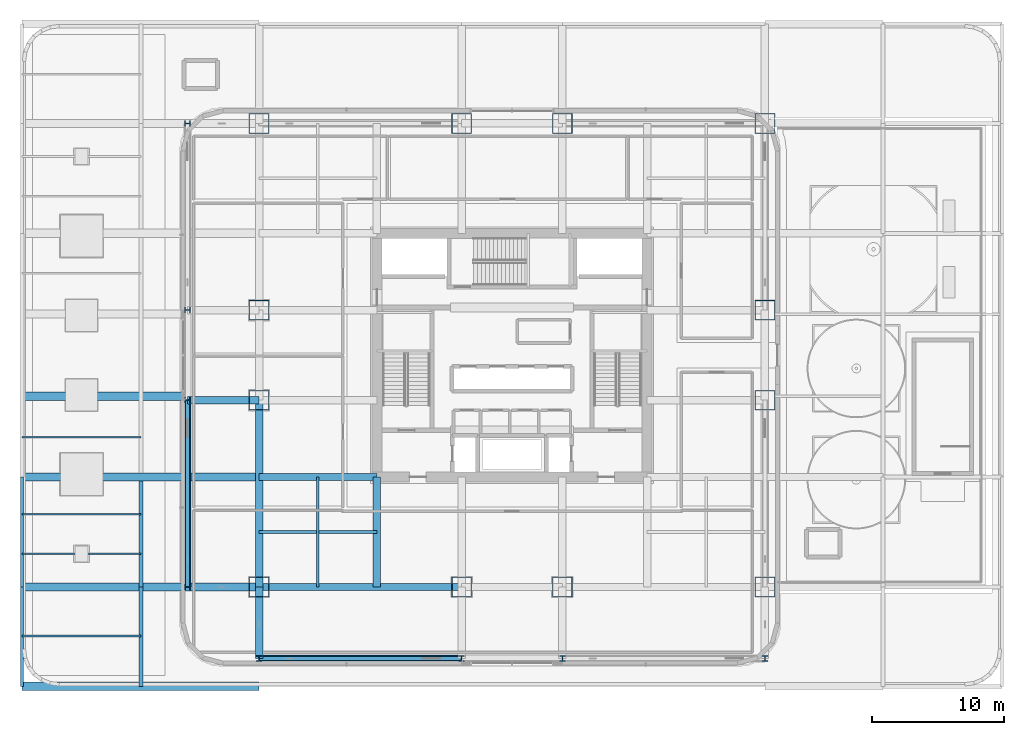
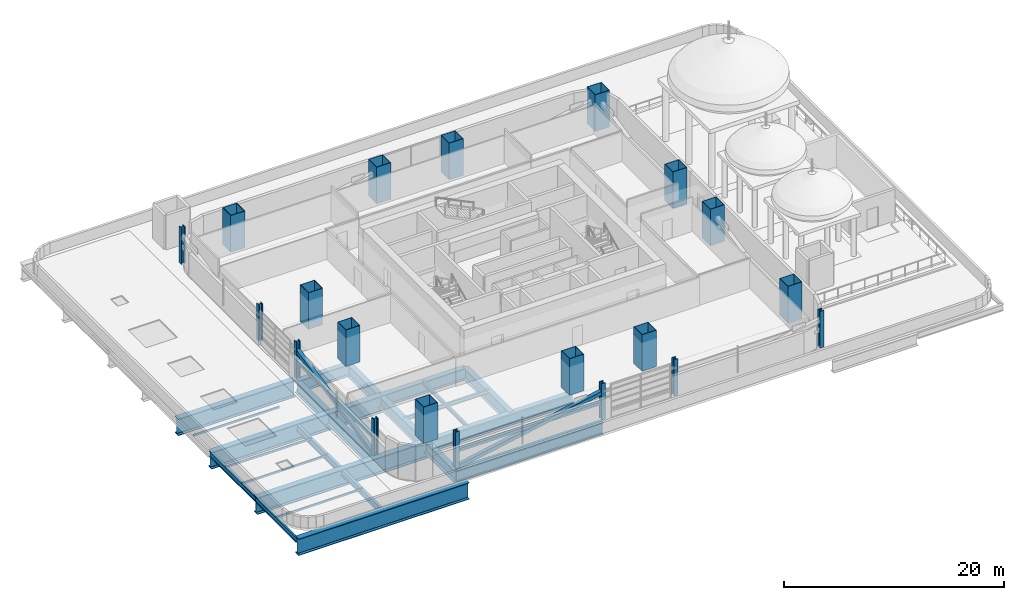
# One storey, part 1 of 30: 20 columns, 18 beams, 8 members.
"""IFC4 building model written with IfcOpenShell, lengths in metres."""

import ifcopenshell
import ifcopenshell.guid

model = None  # the IFC model being written
_history = None  # IfcOwnerHistory: only IFC2X3 demands one
_inside = {}  # id of a spatial element -> (the spatial element, [elements in it])
_under = {}  # id of a project, library or spatial element -> (it, [spatial elements below it])
_declared = {}  # id of a project -> (the project, [libraries it declares])
_typed = {}  # id of a type object -> (the type object, [elements of that type])
_made_of = {}  # id of a material, layer set ... -> (it, [elements and type objects made of it])


def new_model(schema):
    """Start an empty IFC model of exactly this schema.

    Asked for "IFC4X3", IfcOpenShell would pick the latest addendum, in which some entities
    have other attributes; the version numbers below select the first issue.
    IFC2X3 requires an IfcOwnerHistory on every rooted entity: one is made here for all.
    """
    global model, _history
    if schema == "IFC4X3":
        model = ifcopenshell.file(schema_version=(4, 3, 0, 0))
    else:
        model = ifcopenshell.file(schema=schema)
    _inside.clear()
    _under.clear()
    _declared.clear()
    _typed.clear()
    _made_of.clear()
    _history = None
    if model.schema == "IFC2X3":
        org = make("IfcOrganization", Name="unknown")
        user = make(
            "IfcPersonAndOrganization",
            ThePerson=make("IfcPerson", FamilyName="unknown"),
            TheOrganization=org,
        )
        app = make(
            "IfcApplication",
            ApplicationDeveloper=org,
            Version="unknown",
            ApplicationFullName="unknown",
            ApplicationIdentifier="unknown",
        )
        _history = make(
            "IfcOwnerHistory",
            OwningUser=user,
            OwningApplication=app,
            ChangeAction="ADDED",
            CreationDate=0,
        )
    return model


def make(cls, **values):
    """One entity of the class cls with the attributes given. An attribute that is None is left unset."""
    return model.create_entity(
        cls, **{name: value for name, value in values.items() if value is not None}
    )


def rooted(cls, **values):
    """An entity with a GlobalId (a new one), such as an element, a storey or a relation."""
    return make(cls, GlobalId=ifcopenshell.guid.new(), OwnerHistory=_history, **values)


def si_unit(unit_type, name, prefix=None):
    """IfcSIUnit, for example si_unit("LENGTHUNIT", "METRE", prefix="MILLI")."""
    return make("IfcSIUnit", UnitType=unit_type, Prefix=prefix, Name=name)


def assignment(units):
    """IfcUnitAssignment: the units of a project."""
    return None if units is None else make("IfcUnitAssignment", Units=units)


def point(xyz):
    """IfcCartesianPoint."""
    return None if xyz is None else make("IfcCartesianPoint", Coordinates=xyz)


def direction(xyz):
    """IfcDirection."""
    return None if xyz is None else make("IfcDirection", DirectionRatios=xyz)


def frame(location, z_axis=None, x_axis=None):
    """IfcAxis2Placement3D, a coordinate frame: its origin and axes. An axis left out is left unset."""
    return make(
        "IfcAxis2Placement3D",
        Location=point(location),
        Axis=direction(z_axis),
        RefDirection=direction(x_axis),
    )


def frame_2d(location, x_axis=None):
    """IfcAxis2Placement2D, a coordinate frame in the plane: its origin and x axis."""
    return make(
        "IfcAxis2Placement2D", Location=point(location), RefDirection=direction(x_axis)
    )


def origin():
    """The frame at (0, 0, 0) with its axes left unset."""
    return frame((0.0, 0.0, 0.0))


def origin_2d():
    """The frame at (0, 0) in the plane with its x axis left unset."""
    return frame_2d((0.0, 0.0))


def place(relative_to, where):
    """IfcLocalPlacement: puts the frame where relative to a parent placement (None: the world)."""
    return make(
        "IfcLocalPlacement", PlacementRelTo=relative_to, RelativePlacement=where
    )


def context(
    kind, dimensions, precision=None, world=None, true_north=None, identifier=None
):
    """IfcGeometricRepresentationContext, for example the 3D "Model" context."""
    return make(
        "IfcGeometricRepresentationContext",
        ContextIdentifier=identifier,
        ContextType=kind,
        CoordinateSpaceDimension=dimensions,
        Precision=precision,
        WorldCoordinateSystem=world,
        TrueNorth=true_north,
    )


def subcontext(parent, identifier, kind, view, scale=None):
    """IfcGeometricRepresentationSubContext, for example "Body" below "Model"."""
    return make(
        "IfcGeometricRepresentationSubContext",
        ContextIdentifier=identifier,
        ContextType=kind,
        ParentContext=parent,
        TargetScale=scale,
        TargetView=view,
    )


def project(units=None, contexts=None):
    """IfcProject with its units and contexts."""
    return rooted(
        "IfcProject",
        Name="project",
        RepresentationContexts=contexts,
        UnitsInContext=assignment(units),
    )


def spatial(cls, under=None, at=None, **own):
    """A site, building, storey or space (cls), placed at a placement, below another one or the project."""
    s = rooted(cls, ObjectPlacement=at, **own)
    if under is not None:
        _under.setdefault(under.id(), (under, []))[1].append(s)
    return s


def profile(cls, at=None, kind="AREA", **sizes):
    """A parametric profile (cls). Its sizes go by their IFC names, for example OverallWidth=200.0."""
    return make(cls, ProfileType=kind, Position=at, **sizes)


def hollow_rectangle(**sizes):
    """IfcRectangleHollowProfileDef."""
    return profile("IfcRectangleHollowProfileDef", **sizes)


def i_section(**sizes):
    """IfcIShapeProfileDef."""
    return profile("IfcIShapeProfileDef", **sizes)


def extrude(swept, where, along, depth):
    """IfcExtrudedAreaSolid: the profile swept, set in the frame where, extruded along a direction by depth."""
    return make(
        "IfcExtrudedAreaSolid",
        SweptArea=swept,
        Position=where,
        ExtrudedDirection=direction(along),
        Depth=depth,
    )


def shape(context_of_items, identifier, shape_type, items):
    """IfcShapeRepresentation: the items that make up one representation, for example the "Body"."""
    return make(
        "IfcShapeRepresentation",
        ContextOfItems=context_of_items,
        RepresentationIdentifier=identifier,
        RepresentationType=shape_type,
        Items=items,
    )


def material(Name=None, Category=None):
    """IfcMaterial."""
    return make("IfcMaterial", Name=Name, Category=Category)


def material_profile(
    of_material, cross_section, Name=None, Category=None, Priority=None
):
    """IfcMaterialProfile: a cross section and its material."""
    return make(
        "IfcMaterialProfile",
        Name=Name,
        Material=of_material,
        Profile=cross_section,
        Priority=Priority,
        Category=Category,
    )


def profile_set(profiles, Name=None, composite=None):
    """IfcMaterialProfileSet."""
    return make(
        "IfcMaterialProfileSet",
        Name=Name,
        MaterialProfiles=profiles,
        CompositeProfile=composite,
    )


def made_of(thing, what):
    """Note that an element or type object is made of a material, layer set ...; save() writes the relation."""
    if what is not None:
        _made_of.setdefault(what.id(), (what, []))[1].append(thing)
    return thing


def type_object(cls, material=None, **own):
    """A type object (cls), such as IfcWallType, which elements share."""
    return made_of(rooted(cls, **own), material)


def element(
    cls,
    number,
    at=None,
    inside=None,
    cuts=None,
    type_object=None,
    material=None,
    context=None,
    identifier="Body",
    shape_type=None,
    held_by="IfcProductDefinitionShape",
    body=None,
    shapes=None,
    **own,
):
    """One element of the class cls, such as IfcWall. Its Tag is "e" and its number.

    at: its placement. inside: the storey or other place that contains it. cuts: it is an
    opening in that element (IfcRelVoidsElement). A single representation is given by context,
    identifier, shape_type and body (its items); several are given by shapes. held_by: the class
    of the entity that holds the representations. save() writes the other relations.
    """
    e = rooted(cls, Tag="e%d" % number, ObjectPlacement=at, **own)
    if body is not None:
        shapes = [shape(context, identifier, shape_type, body)]
    if shapes is not None:
        e.Representation = make(held_by, Representations=shapes)
    if inside is not None:
        _inside.setdefault(inside.id(), (inside, []))[1].append(e)
    if cuts is not None:
        rooted(
            "IfcRelVoidsElement", RelatingBuildingElement=cuts, RelatedOpeningElement=e
        )
    if type_object is not None:
        _typed.setdefault(type_object.id(), (type_object, []))[1].append(e)
    return made_of(e, material)


def aggregate(whole, parts):
    """IfcRelAggregates: a whole, such as a stair, and the parts it consists of."""
    return rooted("IfcRelAggregates", RelatingObject=whole, RelatedObjects=parts)


def save(model, path):
    """Write the relations noted so far, then the file.

    IfcRelAggregates (storeys below a building ...), IfcRelContainedInSpatialStructure (elements
    in a storey), IfcRelDefinesByType, IfcRelAssociatesMaterial and IfcRelDeclares: one each for
    every whole, place, type object, material and project.
    """
    for whole, parts in _under.values():
        aggregate(whole, parts)
    for where, things in _inside.values():
        rooted(
            "IfcRelContainedInSpatialStructure",
            RelatedElements=things,
            RelatingStructure=where,
        )
    for kind, things in _typed.values():
        rooted("IfcRelDefinesByType", RelatedObjects=things, RelatingType=kind)
    for what, things in _made_of.values():
        rooted("IfcRelAssociatesMaterial", RelatedObjects=things, RelatingMaterial=what)
    for by, libraries in _declared.values():
        rooted("IfcRelDeclares", RelatingContext=by, RelatedDefinitions=libraries)
    model.write(path)


model = new_model("IFC4")

# Units and contexts
model_context = context("Model", 3, precision=1e-05, world=origin(), true_north=direction((0.0, 1.0)))
body_context = subcontext(model_context, "Body", "Model", "MODEL_VIEW")
ifc_project = project(units=[si_unit("LENGTHUNIT", "METRE"), si_unit("AREAUNIT", "SQUARE_METRE"), si_unit("VOLUMEUNIT", "CUBIC_METRE"), si_unit("PLANEANGLEUNIT", "RADIAN"), si_unit("MASSUNIT", "GRAM", prefix="KILO")], contexts=[model_context])

# Site, building, storey
site_placement = place(None, origin())
site = spatial("IfcSite", under=ifc_project, at=site_placement, CompositionType="ELEMENT")
building_placement = place(site_placement, origin())
building = spatial("IfcBuilding", under=site, at=building_placement, Name="Punatoya Terracotta Tower", CompositionType="ELEMENT")
storey_placement = place(building_placement, frame((0.0, 0.0, 28.199951171875)))
storey = spatial("IfcBuildingStorey", under=building, at=storey_placement, Name="L05", CompositionType="ELEMENT", Elevation=28.199951171875)

# Columns
ifc_material_1 = material(Name="Steel S460", Category="steel")
ifc_material_profile_1 = material_profile(ifc_material_1, i_section(OverallWidth=0.416015625, OverallDepth=0.446044921875, WebThickness=0.0390625, FlangeThickness=0.06201171875, FilletRadius=0.01806640625, at=origin_2d()))
ifc_profile_set_1 = profile_set([ifc_material_profile_1], Name="Steel S460")
column_type_1 = type_object("IfcColumnType", Name="COL-EX-M1", PredefinedType="COLUMN", material=ifc_profile_set_1)
for number, where, z_axis, x_axis, name in (
    (1, (-19.10009765625, -22.89990234375, 0.0), (0.0, 0.0, 1.0), (1.0, 0.0, 0.0), "L05 Exoskeleton Perimeter Column S1"),
    (2, (-3.800048828125, -22.89990234375, 0.0), (0.0, 0.0, 1.0), (1.0, 0.0, 0.0), "L05 Exoskeleton Perimeter Column S2"),
    (3, (3.800048828125, -22.89990234375, 0.0), (0.0, 0.0, 1.0), (1.0, 0.0, 0.0), "L05 Exoskeleton Perimeter Column S3"),
    (4, (19.10009765625, -22.89990234375, 0.0), (0.0, 0.0, 1.0), (1.0, 0.0, 0.0), "L05 Exoskeleton Perimeter Column S4"),
    (5, (-24.5, -17.5, 0.0), (0.0, 0.0, 1.0), (0.0, 1.0, 0.0), "L05 Exoskeleton Perimeter Column W1"),
    (6, (-24.5, -3.39990234375, 0.0), (0.0, 0.0, 1.0), (0.0, 1.0, 0.0), "L05 Exoskeleton Perimeter Column W2"),
    (7, (-24.5, 3.39990234375, 0.0), (0.0, 0.0, 1.0), (0.0, 1.0, 0.0), "L05 Exoskeleton Perimeter Column W3"),
    (8, (-24.5, 17.5, 0.0), (0.0, 0.0, 1.0), (0.0, 1.0, 0.0), "L05 Exoskeleton Perimeter Column W4"),
):
    element("IfcColumn", number, at=place(storey_placement, frame(where, z_axis=z_axis, x_axis=x_axis)), inside=storey, type_object=column_type_1, Name=name, PredefinedType="COLUMN", context=body_context, shape_type="SweptSolid", body=[
        extrude(i_section(OverallWidth=0.416015625, OverallDepth=0.446044921875, WebThickness=0.0390625, FlangeThickness=0.06201171875, FilletRadius=0.01806640625, at=origin_2d()), origin(), (0.0, 0.0, 1.0), 4.048095703125),
    ])
ifc_material_profile_2 = material_profile(ifc_material_1, hollow_rectangle(XDim=1.5, YDim=1.5, WallThickness=0.044921875, at=origin_2d()))
ifc_profile_set_2 = profile_set([ifc_material_profile_2], Name="Steel S460")
column_type_2 = type_object("IfcColumnType", Name="COL-MC-Z1", PredefinedType="COLUMN", material=ifc_profile_set_2)
for number, where, z_axis, x_axis, name in (
    (9, (-19.10009765625, -17.5, 0.0), (0.0, 0.0, 1.0), (1.0, 0.0, 0.0), "L05 Composite Mega-Column MC-01 (3-B)"),
    (10, (-3.800048828125, -17.5, 0.0), (0.0, 0.0, 1.0), (1.0, 0.0, 0.0), "L05 Composite Mega-Column MC-02 (5-B)"),
    (11, (3.800048828125, -17.5, 0.0), (0.0, 0.0, 1.0), (1.0, 0.0, 0.0), "L05 Composite Mega-Column MC-03 (7-B)"),
    (12, (19.10009765625, -17.5, 0.0), (0.0, 0.0, 1.0), (1.0, 0.0, 0.0), "L05 Composite Mega-Column MC-04 (9-B)"),
    (13, (19.10009765625, -3.39990234375, 0.0), (0.0, 0.0, 1.0), (1.0, 0.0, 0.0), "L05 Composite Mega-Column MC-05 (9-D)"),
    (14, (19.10009765625, 3.39990234375, 0.0), (0.0, 0.0, 1.0), (1.0, 0.0, 0.0), "L05 Composite Mega-Column MC-06 (9-E)"),
    (15, (19.10009765625, 17.5, 0.0), (0.0, 0.0, 1.0), (1.0, 0.0, 0.0), "L05 Composite Mega-Column MC-07 (9-G)"),
    (16, (3.800048828125, 17.5, 0.0), (0.0, 0.0, 1.0), (1.0, 0.0, 0.0), "L05 Composite Mega-Column MC-08 (7-G)"),
    (17, (-3.800048828125, 17.5, 0.0), (0.0, 0.0, 1.0), (1.0, 0.0, 0.0), "L05 Composite Mega-Column MC-09 (5-G)"),
    (18, (-19.10009765625, 17.5, 0.0), (0.0, 0.0, 1.0), (1.0, 0.0, 0.0), "L05 Composite Mega-Column MC-10 (3-G)"),
    (19, (-19.10009765625, 3.39990234375, 0.0), (0.0, 0.0, 1.0), (1.0, 0.0, 0.0), "L05 Composite Mega-Column MC-11 (3-E)"),
    (20, (-19.10009765625, -3.39990234375, 0.0), (0.0, 0.0, 1.0), (1.0, 0.0, 0.0), "L05 Composite Mega-Column MC-12 (3-D)"),
):
    element("IfcColumn", number, at=place(storey_placement, frame(where, z_axis=z_axis, x_axis=x_axis)), inside=storey, type_object=column_type_2, Name=name, PredefinedType="COLUMN", context=body_context, shape_type="SweptSolid", body=[
        extrude(hollow_rectangle(XDim=1.5, YDim=1.5, WallThickness=0.044921875, at=origin_2d()), origin(), (0.0, 0.0, 1.0), 4.050048828125),
    ])

# Beams
ifc_material_2 = material(Name="Steel S355", Category="steel")
ifc_material_profile_3 = material_profile(ifc_material_2, i_section(OverallWidth=0.300048828125, OverallDepth=0.699951171875, WebThickness=0.01708984375, FlangeThickness=0.031982421875, FilletRadius=0.01806640625, at=origin_2d()))
ifc_profile_set_3 = profile_set([ifc_material_profile_3], Name="Steel S355")
beam_type_1 = type_object("IfcBeamType", Name="BM-PRI-700", PredefinedType="BEAM", material=ifc_profile_set_3)
beam_1_placement = place(storey_placement, frame((-28.0, -25.0, -0.6298828125), z_axis=(0.0, 1.0, 0.0), x_axis=(-1.0, 0.0, 0.0)))
element("IfcBeam", 21, at=beam_1_placement, inside=storey, type_object=beam_type_1, Name="BM-L05-X28W--25", PredefinedType="BEAM", context=body_context, shape_type="SweptSolid", body=[
    extrude(i_section(OverallWidth=0.300048828125, OverallDepth=0.699951171875, WebThickness=0.01708984375, FlangeThickness=0.031982421875, FilletRadius=0.01806640625, at=origin_2d()), origin(), (0.0, 0.0, 1.0), 7.5),
])
beam_2_placement = place(storey_placement, frame((-28.0, -17.5, -0.6298828125), z_axis=(0.0, 1.0, 0.0), x_axis=(-1.0, 0.0, 0.0)))
element("IfcBeam", 22, at=beam_2_placement, inside=storey, type_object=beam_type_1, Name="BM-L05-X28W--17", PredefinedType="BEAM", context=body_context, shape_type="SweptSolid", body=[
    extrude(i_section(OverallWidth=0.300048828125, OverallDepth=0.699951171875, WebThickness=0.01708984375, FlangeThickness=0.031982421875, FilletRadius=0.01806640625, at=origin_2d()), origin(), (0.0, 0.0, 1.0), 7.989990234375),
])
ifc_material_profile_4 = material_profile(ifc_material_2, i_section(OverallWidth=0.18994140625, OverallDepth=0.449951171875, WebThickness=0.009521484375, FlangeThickness=0.0146484375, FilletRadius=0.01806640625, at=origin_2d()))
ifc_profile_set_4 = profile_set([ifc_material_profile_4], Name="Steel S355")
beam_type_2 = type_object("IfcBeamType", Name="BM-SEC-450", PredefinedType="JOIST", material=ifc_profile_set_4)
beam_3_placement = place(storey_placement, frame((-19.10009765625, -13.35009765625, -0.5048828125), z_axis=(1.0, 0.0, 0.0), x_axis=(0.0, 1.0, 0.0)))
element("IfcBeam", 23, at=beam_3_placement, inside=storey, type_object=beam_type_2, Name="BM-L05-SJS-1", PredefinedType="JOIST", context=body_context, shape_type="SweptSolid", body=[
    extrude(i_section(OverallWidth=0.18994140625, OverallDepth=0.449951171875, WebThickness=0.009521484375, FlangeThickness=0.0146484375, FilletRadius=0.01806640625, at=origin_2d()), origin(), (0.0, 0.0, 1.0), 8.900146484375),
])
beam_4_placement = place(storey_placement, frame((-14.64990234375, -17.5, -0.5048828125), z_axis=(0.0, 1.0, 0.0), x_axis=(-1.0, 0.0, 0.0)))
element("IfcBeam", 24, at=beam_4_placement, inside=storey, type_object=beam_type_2, Name="BM-L05-SJW-1", PredefinedType="JOIST", context=body_context, shape_type="SweptSolid", body=[
    extrude(i_section(OverallWidth=0.18994140625, OverallDepth=0.449951171875, WebThickness=0.009521484375, FlangeThickness=0.0146484375, FilletRadius=0.01806640625, at=origin_2d()), origin(), (0.0, 0.0, 1.0), 8.300048828125),
])
ifc_material_profile_5 = material_profile(ifc_material_2, i_section(OverallWidth=0.2099609375, OverallDepth=0.550048828125, WebThickness=0.010986328125, FlangeThickness=0.01708984375, FilletRadius=0.01806640625, at=origin_2d()))
ifc_profile_set_5 = profile_set([ifc_material_profile_5], Name="Steel S355")
beam_type_3 = type_object("IfcBeamType", Name="BM-SPN-550", PredefinedType="SPANDREL", material=ifc_profile_set_5)
beam_5_placement = place(storey_placement, frame((-37.0, -25.0, -0.554931640625), z_axis=(0.0, 1.0, 0.0), x_axis=(-1.0, 0.0, 0.0)))
element("IfcBeam", 25, at=beam_5_placement, inside=storey, type_object=beam_type_3, Name="BM-L05-X37W--25", PredefinedType="SPANDREL", context=body_context, shape_type="SweptSolid", body=[
    extrude(i_section(OverallWidth=0.2099609375, OverallDepth=0.550048828125, WebThickness=0.010986328125, FlangeThickness=0.01708984375, FilletRadius=0.01806640625, at=origin_2d()), origin(), (0.0, 0.0, 1.0), 7.5),
])
beam_6_placement = place(storey_placement, frame((-37.0, -17.5, -0.554931640625), z_axis=(0.0, 1.0, 0.0), x_axis=(-1.0, 0.0, 0.0)))
element("IfcBeam", 26, at=beam_6_placement, inside=storey, type_object=beam_type_3, Name="BM-L05-X37W--17", PredefinedType="SPANDREL", context=body_context, shape_type="SweptSolid", body=[
    extrude(i_section(OverallWidth=0.2099609375, OverallDepth=0.550048828125, WebThickness=0.010986328125, FlangeThickness=0.01708984375, FilletRadius=0.01806640625, at=origin_2d()), origin(), (0.0, 0.0, 1.0), 8.300048828125),
])
ifc_material_profile_6 = material_profile(ifc_material_1, i_section(OverallWidth=0.6201171875, OverallDepth=1.85009765625, WebThickness=0.0400390625, FlangeThickness=0.06005859375, FilletRadius=0.01806640625, at=origin_2d()))
ifc_profile_set_6 = profile_set([ifc_material_profile_6], Name="Steel S460")
beam_type_4 = type_object("IfcBeamType", Name="BM-TG-AUD", PredefinedType="BEAM", material=ifc_profile_set_6)
for number, where, z_axis, x_axis, name in (
    (27, (-37.0, -25.0, -1.204833984375), (1.0, 0.0, 0.0), (0.0, 1.0, 0.0), "TG-L05-AW"),
    (28, (-37.0, -17.5, -1.204833984375), (1.0, 0.0, 0.0), (0.0, 1.0, 0.0), "TG-L05-BW"),
    (29, (-37.0, -9.199951171875, -1.204833984375), (1.0, 0.0, 0.0), (0.0, 1.0, 0.0), "TG-L05-CW"),
):
    element("IfcBeam", number, at=place(storey_placement, frame(where, z_axis=z_axis, x_axis=x_axis)), inside=storey, type_object=beam_type_4, Name=name, PredefinedType="BEAM", context=body_context, shape_type="SweptSolid", body=[
        extrude(i_section(OverallWidth=0.6201171875, OverallDepth=1.85009765625, WebThickness=0.0400390625, FlangeThickness=0.06005859375, FilletRadius=0.01806640625, at=origin_2d()), origin(), (0.0, 0.0, 1.0), 17.89990234375),
    ])
beam_7_placement = place(storey_placement, frame((-37.0, -3.10009765625, -1.204833984375), z_axis=(1.0, 0.0, 0.0), x_axis=(0.0, 1.0, 0.0)))
element("IfcBeam", 30, at=beam_7_placement, inside=storey, type_object=beam_type_4, Name="BM-L05-AUDJ--31", PredefinedType="BEAM", context=body_context, shape_type="SweptSolid", body=[
    extrude(i_section(OverallWidth=0.6201171875, OverallDepth=1.85009765625, WebThickness=0.0400390625, FlangeThickness=0.06005859375, FilletRadius=0.01806640625, at=origin_2d()), origin(), (0.0, 0.0, 1.0), 12.320068359375),
])
ifc_material_profile_7 = material_profile(ifc_material_1, i_section(OverallWidth=0.56005859375, OverallDepth=1.320068359375, WebThickness=0.035888671875, FlangeThickness=0.054931640625, FilletRadius=0.01806640625, at=origin_2d()))
ifc_profile_set_7 = profile_set([ifc_material_profile_7], Name="Steel S460")
beam_type_5 = type_object("IfcBeamType", Name="BM-TG-BLK", PredefinedType="BEAM", material=ifc_profile_set_7)
beam_8_placement = place(storey_placement, frame((-19.10009765625, -17.5, -0.93994140625), z_axis=(1.0, 0.0, 0.0), x_axis=(0.0, 1.0, 0.0)))
element("IfcBeam", 31, at=beam_8_placement, inside=storey, type_object=beam_type_5, Name="BM-L05-RG-S1", PredefinedType="BEAM", context=body_context, shape_type="SweptSolid", body=[
    extrude(i_section(OverallWidth=0.56005859375, OverallDepth=1.320068359375, WebThickness=0.035888671875, FlangeThickness=0.054931640625, FilletRadius=0.01806640625, at=origin_2d()), origin(), (0.0, 0.0, 1.0), 15.300048828125),
])
beam_9_placement = place(storey_placement, frame((-19.10009765625, -17.5, -0.93994140625), z_axis=(0.0, 1.0, 0.0), x_axis=(-1.0, 0.0, 0.0)))
element("IfcBeam", 32, at=beam_9_placement, inside=storey, type_object=beam_type_5, Name="BM-L05-RG-W1", PredefinedType="BEAM", context=body_context, shape_type="SweptSolid", body=[
    extrude(i_section(OverallWidth=0.56005859375, OverallDepth=1.320068359375, WebThickness=0.035888671875, FlangeThickness=0.054931640625, FilletRadius=0.01806640625, at=origin_2d()), origin(), (0.0, 0.0, 1.0), 14.10009765625),
])
beam_10_placement = place(storey_placement, frame((-19.10009765625, -9.199951171875, -0.93994140625), z_axis=(1.0, 0.0, 0.0), x_axis=(0.0, 1.0, 0.0)))
element("IfcBeam", 33, at=beam_10_placement, inside=storey, type_object=beam_type_5, Name="BM-L05-PR-WS", PredefinedType="BEAM", context=body_context, shape_type="SweptSolid", body=[
    extrude(i_section(OverallWidth=0.56005859375, OverallDepth=1.320068359375, WebThickness=0.035888671875, FlangeThickness=0.054931640625, FilletRadius=0.01806640625, at=origin_2d()), origin(), (0.0, 0.0, 1.0), 8.900146484375),
])
beam_11_placement = place(storey_placement, frame((-10.199951171875, -17.5, -0.93994140625), z_axis=(0.0, 1.0, 0.0), x_axis=(-1.0, 0.0, 0.0)))
element("IfcBeam", 34, at=beam_11_placement, inside=storey, type_object=beam_type_5, Name="BM-L05-PR-S1", PredefinedType="BEAM", context=body_context, shape_type="SweptSolid", body=[
    extrude(i_section(OverallWidth=0.56005859375, OverallDepth=1.320068359375, WebThickness=0.035888671875, FlangeThickness=0.054931640625, FilletRadius=0.01806640625, at=origin_2d()), origin(), (0.0, 0.0, 1.0), 8.300048828125),
])
for number, where, z_axis, x_axis, name in (
    (35, (-24.5, -3.39990234375, -0.93994140625), (1.0, 0.0, 0.0), (0.0, 1.0, 0.0), "BM-L05-CANT-W2"),
    (36, (-19.10009765625, -22.89990234375, -0.93994140625), (0.0, 1.0, 0.0), (-1.0, 0.0, 0.0), "BM-L05-CANT-S1"),
):
    element("IfcBeam", number, at=place(storey_placement, frame(where, z_axis=z_axis, x_axis=x_axis)), inside=storey, type_object=beam_type_5, Name=name, PredefinedType="BEAM", context=body_context, shape_type="SweptSolid", body=[
        extrude(i_section(OverallWidth=0.56005859375, OverallDepth=1.320068359375, WebThickness=0.035888671875, FlangeThickness=0.054931640625, FilletRadius=0.01806640625, at=origin_2d()), origin(), (0.0, 0.0, 1.0), 5.39990234375),
    ])
beam_12_placement = place(storey_placement, frame((-19.10009765625, -22.89990234375, -0.93994140625), z_axis=(1.0, 0.0, 0.0), x_axis=(0.0, 1.0, 0.0)))
element("IfcBeam", 37, at=beam_12_placement, inside=storey, type_object=beam_type_5, Name="BM-L05-PER-S1", PredefinedType="BEAM", context=body_context, shape_type="SweptSolid", body=[
    extrude(i_section(OverallWidth=0.56005859375, OverallDepth=1.320068359375, WebThickness=0.035888671875, FlangeThickness=0.054931640625, FilletRadius=0.01806640625, at=origin_2d()), origin(), (0.0, 0.0, 1.0), 15.300048828125),
])
beam_13_placement = place(storey_placement, frame((-24.5, -17.5, -0.93994140625), z_axis=(0.0, 1.0, 0.0), x_axis=(-1.0, 0.0, 0.0)))
element("IfcBeam", 38, at=beam_13_placement, inside=storey, type_object=beam_type_5, Name="BM-L05-PER-W1", PredefinedType="BEAM", context=body_context, shape_type="SweptSolid", body=[
    extrude(i_section(OverallWidth=0.56005859375, OverallDepth=1.320068359375, WebThickness=0.035888671875, FlangeThickness=0.054931640625, FilletRadius=0.01806640625, at=origin_2d()), origin(), (0.0, 0.0, 1.0), 14.10009765625),
])

# Members
ifc_material_profile_8 = material_profile(ifc_material_1, hollow_rectangle(XDim=0.320068359375, YDim=0.320068359375, WallThickness=0.01806640625, at=origin_2d()))
ifc_profile_set_8 = profile_set([ifc_material_profile_8], Name="Steel S460")
member_type_1 = type_object("IfcMemberType", Name="MEM-CHD-320", PredefinedType="CHORD", material=ifc_profile_set_8)
member_1_placement = place(storey_placement, frame((-19.10009765625, -22.89990234375, 1.85009765625), z_axis=(1.0, 0.0, 0.0), x_axis=(0.0, 1.0, 0.0)))
element("IfcMember", 39, at=member_1_placement, inside=storey, type_object=member_type_1, Name="L05 Exoskeleton Belt Truss Tie Chord S1", PredefinedType="CHORD", context=body_context, shape_type="SweptSolid", body=[
    extrude(hollow_rectangle(XDim=0.320068359375, YDim=0.320068359375, WallThickness=0.01806640625, at=origin_2d()), origin(), (0.0, 0.0, 1.0), 15.300048828125),
])
member_2_placement = place(storey_placement, frame((-24.5, -17.5, 1.85009765625), z_axis=(0.0, 1.0, 0.0), x_axis=(-1.0, 0.0, 0.0)))
element("IfcMember", 40, at=member_2_placement, inside=storey, type_object=member_type_1, Name="L05 Exoskeleton Belt Truss Tie Chord W1", PredefinedType="CHORD", context=body_context, shape_type="SweptSolid", body=[
    extrude(hollow_rectangle(XDim=0.320068359375, YDim=0.320068359375, WallThickness=0.01806640625, at=origin_2d()), origin(), (0.0, 0.0, 1.0), 14.10009765625),
])
ifc_material_profile_9 = material_profile(ifc_material_1, hollow_rectangle(XDim=0.39990234375, YDim=0.39990234375, WallThickness=0.02197265625, at=origin_2d()))
ifc_profile_set_9 = profile_set([ifc_material_profile_9], Name="Steel S460")
member_type_2 = type_object("IfcMemberType", Name="MEM-EXO-400", PredefinedType="BRACE", material=ifc_profile_set_9)
member_3_placement = place(storey_placement, frame((-19.10009765625, -22.89990234375, 0.02001953125), z_axis=(0.981434908309, 0.0, 0.191795518072), x_axis=(0.0, 1.0, 0.0)))
element("IfcMember", 41, at=member_3_placement, inside=storey, type_object=member_type_2, Name="L05 Exoskeleton Belt Brace S1", PredefinedType="BRACE", context=body_context, shape_type="SweptSolid", body=[
    extrude(hollow_rectangle(XDim=0.39990234375, YDim=0.39990234375, WallThickness=0.02197265625, at=origin_2d()), origin(), (0.0, 0.0, 1.0), 15.58935546875),
])
member_4_placement = place(storey_placement, frame((-24.5, -17.5, 0.02001953125), z_axis=(0.0, 0.978247355132, 0.207441828415), x_axis=(-1.0, 0.0, 0.0)))
element("IfcMember", 42, at=member_4_placement, inside=storey, type_object=member_type_2, Name="L05 Exoskeleton Belt Brace W1", PredefinedType="BRACE", context=body_context, shape_type="SweptSolid", body=[
    extrude(hollow_rectangle(XDim=0.39990234375, YDim=0.39990234375, WallThickness=0.02197265625, at=origin_2d()), origin(), (0.0, 0.0, 1.0), 14.41357421875),
])
ifc_material_profile_10 = material_profile(ifc_material_2, hollow_rectangle(XDim=0.1201171875, YDim=0.219970703125, WallThickness=0.010009765625, at=origin_2d()))
ifc_profile_set_10 = profile_set([ifc_material_profile_10], Name="Steel S355")
member_type_3 = type_object("IfcMemberType", Name="MEM-PRL-220", PredefinedType="PURLIN", material=ifc_profile_set_10)
for number, where, z_axis, x_axis, name in (
    (43, (-37.0, -21.199951171875, -0.35986328125), (1.0, 0.0, 0.0), (0.0, 1.0, 0.0), "L05 West Podium Skylight Purlin PRL-01"),
    (44, (-37.0, -15.0, -0.35986328125), (1.0, 0.0, 0.0), (0.0, 1.0, 0.0), "L05 West Podium Skylight Purlin PRL-02"),
    (45, (-37.0, -12.0, -0.35986328125), (1.0, 0.0, 0.0), (0.0, 1.0, 0.0), "L05 West Podium Skylight Purlin PRL-03"),
    (46, (-37.0, -6.199951171875, -0.35986328125), (1.0, 0.0, 0.0), (0.0, 1.0, 0.0), "L05 West Podium Skylight Purlin PRL-04"),
):
    element("IfcMember", number, at=place(storey_placement, frame(where, z_axis=z_axis, x_axis=x_axis)), inside=storey, type_object=member_type_3, Name=name, PredefinedType="PURLIN", context=body_context, shape_type="SweptSolid", body=[
        extrude(hollow_rectangle(XDim=0.1201171875, YDim=0.219970703125, WallThickness=0.010009765625, at=origin_2d()), origin(), (0.0, 0.0, 1.0), 9.0),
    ])

save(model, "model.ifc")
